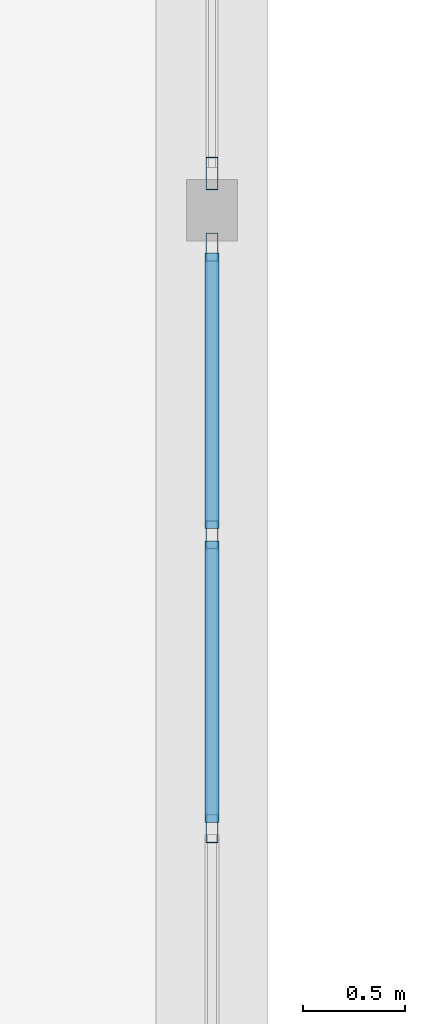
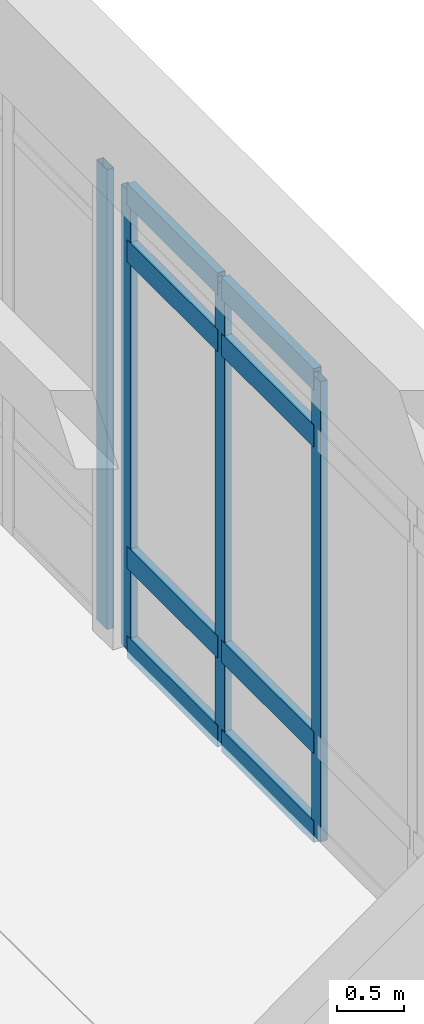
# One storey, part 77 of 138: 12 members, 2 elements without a shape of their own.
"""IFC4 building model written with IfcOpenShell, lengths in metres."""

from ifc_helpers import new_model, si_unit, direction, frame, origin, origin_2d, place, context, subcontext, project, spatial, hollow_rectangle, extrude, material, layer, layer_set, material_profile, profile_set, type_object, element, aggregate, save


model = new_model("IFC4")

# Units and contexts
model_context = context("Model", 3, precision=1e-05, world=origin(), true_north=direction((0.0, 1.0)))
body_context = subcontext(model_context, "Body", "Model", "MODEL_VIEW")
ifc_project = project(units=[si_unit("LENGTHUNIT", "METRE"), si_unit("AREAUNIT", "SQUARE_METRE"), si_unit("VOLUMEUNIT", "CUBIC_METRE"), si_unit("PLANEANGLEUNIT", "RADIAN"), si_unit("MASSUNIT", "GRAM", prefix="KILO")], contexts=[model_context])

# Site, building, storey
site_placement = place(None, origin())
site = spatial("IfcSite", under=ifc_project, at=site_placement, CompositionType="ELEMENT")
building_placement = place(site_placement, origin())
building = spatial("IfcBuilding", under=site, at=building_placement, Name="Fikremerkos Civic Library", CompositionType="ELEMENT")
storey_placement = place(building_placement, origin())
storey = spatial("IfcBuildingStorey", under=building, at=storey_placement, Name="L00", CompositionType="ELEMENT", Elevation=0.0)

# Curtain wall, member
ifc_material = material(Name="Anodized aluminium Frame", Category="aluminium")
ifc_layer_1 = layer(ifc_material, 0.159912109375, Name="Anodized aluminium Frame")
ifc_layer_set_1 = layer_set([ifc_layer_1], Name="Anodized aluminium Frame")
curtain_wall_type_1 = type_object("IfcCurtainWallType", Name="Unitised curtain wall CW-06 4200x4100", PredefinedType="USERDEFINED", material=ifc_layer_set_1)
curtain_wall_1_placement = place(storey_placement, origin())
curtain_wall_1 = element("IfcCurtainWall", 1, at=curtain_wall_1_placement, inside=storey, type_object=curtain_wall_type_1, Name="Unitised curtain wall CW-06 L00 #60", ObjectType="UNITISED CURTAIN WALL", PredefinedType="USERDEFINED")
ifc_material_profile_1 = material_profile(ifc_material, hollow_rectangle(XDim=0.06005859375, YDim=0.159912109375, WallThickness=0.00390625, at=origin_2d()), Name="ALU 160x60x4")
ifc_profile_set_1 = profile_set([ifc_material_profile_1], Name="Anodized aluminium Frame")
member_type_1 = type_object("IfcMemberType", Name="Curtain mullion CWM-02 ALU 160x60x4", PredefinedType="MULLION", material=ifc_profile_set_1)
member_1_placement = place(storey_placement, frame((134.39990234375, 83.579345703125, 0.0), z_axis=(0.0, 0.0, 1.0), x_axis=(1.0, 0.0, 0.0)))
member_1 = element("IfcMember", 2, at=member_1_placement, type_object=member_type_1, Name="CW-06 mullion 5", PredefinedType="MULLION", context=body_context, shape_type="SweptSolid", body=[
    extrude(hollow_rectangle(XDim=0.06005859375, YDim=0.159912109375, WallThickness=0.00390625, at=origin_2d()), origin(), (0.0, 0.0, 1.0), 4.199951171875),
])
aggregate(curtain_wall_1, [member_1])

# Curtain wall, members
ifc_layer_2 = layer(ifc_material, 0.159912109375, Name="Anodized aluminium Frame")
ifc_layer_set_2 = layer_set([ifc_layer_2], Name="Anodized aluminium Frame")
curtain_wall_type_2 = type_object("IfcCurtainWallType", Name="Unitised curtain wall CW-07 3500x4100", PredefinedType="USERDEFINED", material=ifc_layer_set_2)
curtain_wall_2_placement = place(storey_placement, origin())
curtain_wall_2 = element("IfcCurtainWall", 3, at=curtain_wall_2_placement, inside=storey, type_object=curtain_wall_type_2, Name="Unitised curtain wall CW-07 L00 #61", ObjectType="UNITISED CURTAIN WALL", PredefinedType="USERDEFINED")
ifc_material_profile_2 = material_profile(ifc_material, hollow_rectangle(XDim=0.06005859375, YDim=0.139892578125, WallThickness=0.00390625, at=origin_2d()), Name="ALU 140x60x4")
ifc_profile_set_2 = profile_set([ifc_material_profile_2], Name="Anodized aluminium Frame")
member_type_2 = type_object("IfcMemberType", Name="Curtain mullion CWM-03 ALU 140x60x4", PredefinedType="MULLION", material=ifc_profile_set_2)
member_2_placement = place(storey_placement, frame((134.39990234375, 83.21923828125, 0.0), z_axis=(0.0, 0.0, 1.0), x_axis=(1.0, 0.0, 0.0)))
member_2 = element("IfcMember", 4, at=member_2_placement, type_object=member_type_2, Name="CW-07 mullion 1", PredefinedType="MULLION", context=body_context, shape_type="SweptSolid", body=[
    extrude(hollow_rectangle(XDim=0.06005859375, YDim=0.139892578125, WallThickness=0.00390625, at=origin_2d()), origin(), (0.0, 0.0, 1.0), 4.199951171875),
])
member_3_placement = place(storey_placement, frame((134.39990234375, 81.8115234375, 0.0), z_axis=(0.0, 0.0, 1.0), x_axis=(1.0, 0.0, 0.0)))
member_3 = element("IfcMember", 5, at=member_3_placement, type_object=member_type_2, Name="CW-07 mullion 2", PredefinedType="MULLION", context=body_context, shape_type="SweptSolid", body=[
    extrude(hollow_rectangle(XDim=0.06005859375, YDim=0.139892578125, WallThickness=0.00390625, at=origin_2d()), origin(), (0.0, 0.0, 1.0), 4.199951171875),
])
member_4_placement = place(storey_placement, frame((134.39990234375, 80.373779296875, 0.0), z_axis=(0.0, 0.0, 1.0), x_axis=(1.0, 0.0, 0.0)))
member_4 = element("IfcMember", 6, at=member_4_placement, type_object=member_type_2, Name="CW-07 mullion 3", PredefinedType="MULLION", context=body_context, shape_type="SweptSolid", body=[
    extrude(hollow_rectangle(XDim=0.06005859375, YDim=0.139892578125, WallThickness=0.00390625, at=origin_2d()), origin(), (0.0, 0.0, 1.0), 4.199951171875),
])
ifc_material_profile_3 = material_profile(ifc_material, hollow_rectangle(XDim=0.070068359375, YDim=0.199951171875, WallThickness=0.0048828125, at=origin_2d()), Name="ALU 200x70x5")
ifc_profile_set_3 = profile_set([ifc_material_profile_3], Name="Anodized aluminium Frame")
member_type_3 = type_object("IfcMemberType", Name="Curtain transom CWT-04 ALU 200x70x5", PredefinedType="USERDEFINED", material=ifc_profile_set_3)
member_5_placement = place(storey_placement, frame((134.39990234375, 83.189208984375, 0.034912109375), z_axis=(0.0, -1.0, 0.0), x_axis=(1.0, 0.0, 0.0)))
member_5 = element("IfcMember", 7, at=member_5_placement, type_object=member_type_3, Name="CW-07 transom 1.1", ObjectType="TRANSOM", PredefinedType="USERDEFINED", context=body_context, shape_type="SweptSolid", body=[
    extrude(hollow_rectangle(XDim=0.070068359375, YDim=0.199951171875, WallThickness=0.0048828125, at=origin_2d()), origin(), (0.0, 0.0, 1.0), 1.34765625),
])
member_6_placement = place(storey_placement, frame((134.39990234375, 83.189208984375, 0.85009765625), z_axis=(0.0, -1.0, 0.0), x_axis=(1.0, 0.0, 0.0)))
member_6 = element("IfcMember", 8, at=member_6_placement, type_object=member_type_3, Name="CW-07 transom 1.2", ObjectType="TRANSOM", PredefinedType="USERDEFINED", context=body_context, shape_type="SweptSolid", body=[
    extrude(hollow_rectangle(XDim=0.070068359375, YDim=0.199951171875, WallThickness=0.0048828125, at=origin_2d()), origin(), (0.0, 0.0, 1.0), 1.34765625),
])
member_7_placement = place(storey_placement, frame((134.39990234375, 83.189208984375, 3.64990234375), z_axis=(0.0, -1.0, 0.0), x_axis=(1.0, 0.0, 0.0)))
member_7 = element("IfcMember", 9, at=member_7_placement, type_object=member_type_3, Name="CW-07 transom 1.3", ObjectType="TRANSOM", PredefinedType="USERDEFINED", context=body_context, shape_type="SweptSolid", body=[
    extrude(hollow_rectangle(XDim=0.070068359375, YDim=0.199951171875, WallThickness=0.0048828125, at=origin_2d()), origin(), (0.0, 0.0, 1.0), 1.34765625),
])
member_8_placement = place(storey_placement, frame((134.39990234375, 83.189208984375, 4.1650390625), z_axis=(0.0, -1.0, 0.0), x_axis=(1.0, 0.0, 0.0)))
member_8 = element("IfcMember", 10, at=member_8_placement, type_object=member_type_3, Name="CW-07 transom 1.4", ObjectType="TRANSOM", PredefinedType="USERDEFINED", context=body_context, shape_type="SweptSolid", body=[
    extrude(hollow_rectangle(XDim=0.070068359375, YDim=0.199951171875, WallThickness=0.0048828125, at=origin_2d()), origin(), (0.0, 0.0, 1.0), 1.34765625),
])
member_9_placement = place(storey_placement, frame((134.39990234375, 81.781494140625, 0.034912109375), z_axis=(0.0, -1.0, 0.0), x_axis=(1.0, 0.0, 0.0)))
member_9 = element("IfcMember", 11, at=member_9_placement, type_object=member_type_3, Name="CW-07 transom 2.1", ObjectType="TRANSOM", PredefinedType="USERDEFINED", context=body_context, shape_type="SweptSolid", body=[
    extrude(hollow_rectangle(XDim=0.070068359375, YDim=0.199951171875, WallThickness=0.0048828125, at=origin_2d()), origin(), (0.0, 0.0, 1.0), 1.3779296875),
])
member_10_placement = place(storey_placement, frame((134.39990234375, 81.781494140625, 0.85009765625), z_axis=(0.0, -1.0, 0.0), x_axis=(1.0, 0.0, 0.0)))
member_10 = element("IfcMember", 12, at=member_10_placement, type_object=member_type_3, Name="CW-07 transom 2.2", ObjectType="TRANSOM", PredefinedType="USERDEFINED", context=body_context, shape_type="SweptSolid", body=[
    extrude(hollow_rectangle(XDim=0.070068359375, YDim=0.199951171875, WallThickness=0.0048828125, at=origin_2d()), origin(), (0.0, 0.0, 1.0), 1.3779296875),
])
member_11_placement = place(storey_placement, frame((134.39990234375, 81.781494140625, 3.64990234375), z_axis=(0.0, -1.0, 0.0), x_axis=(1.0, 0.0, 0.0)))
member_11 = element("IfcMember", 13, at=member_11_placement, type_object=member_type_3, Name="CW-07 transom 2.3", ObjectType="TRANSOM", PredefinedType="USERDEFINED", context=body_context, shape_type="SweptSolid", body=[
    extrude(hollow_rectangle(XDim=0.070068359375, YDim=0.199951171875, WallThickness=0.0048828125, at=origin_2d()), origin(), (0.0, 0.0, 1.0), 1.3779296875),
])
member_12_placement = place(storey_placement, frame((134.39990234375, 81.781494140625, 4.1650390625), z_axis=(0.0, -1.0, 0.0), x_axis=(1.0, 0.0, 0.0)))
member_12 = element("IfcMember", 14, at=member_12_placement, type_object=member_type_3, Name="CW-07 transom 2.4", ObjectType="TRANSOM", PredefinedType="USERDEFINED", context=body_context, shape_type="SweptSolid", body=[
    extrude(hollow_rectangle(XDim=0.070068359375, YDim=0.199951171875, WallThickness=0.0048828125, at=origin_2d()), origin(), (0.0, 0.0, 1.0), 1.3779296875),
])
aggregate(curtain_wall_2, [member_2, member_3, member_4, member_5, member_6, member_7, member_8, member_9, member_10, member_11, member_12])

save(model, "model.ifc")
